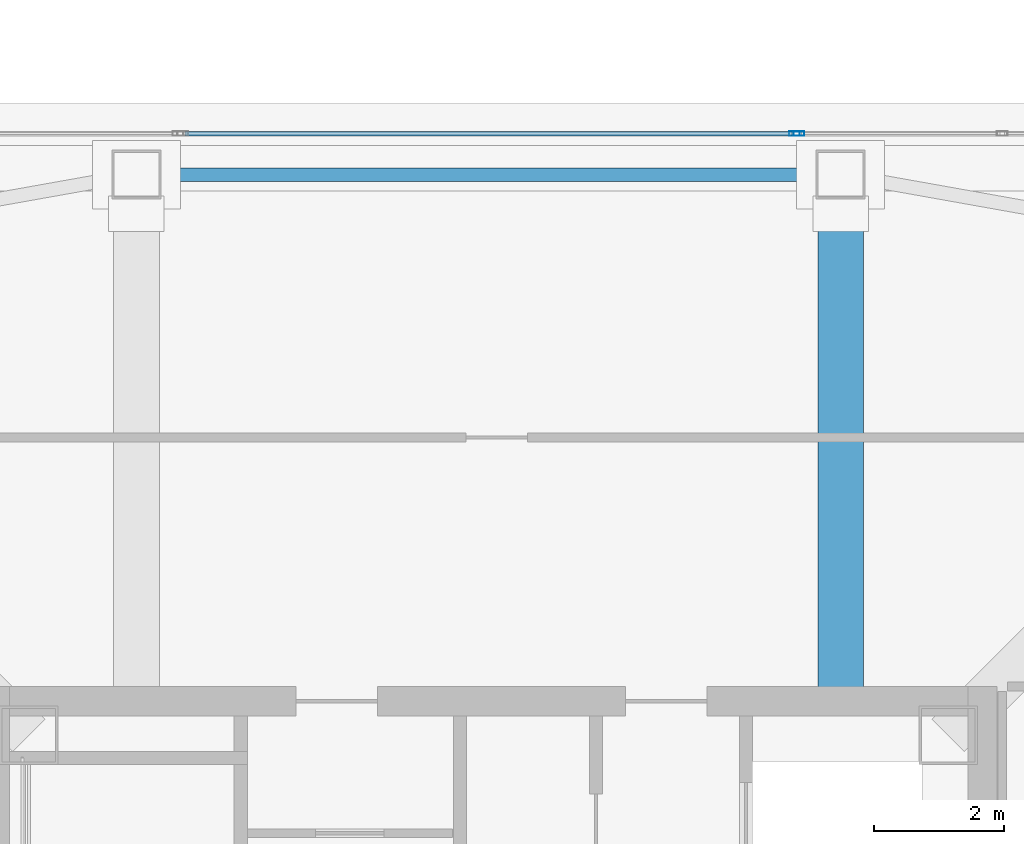
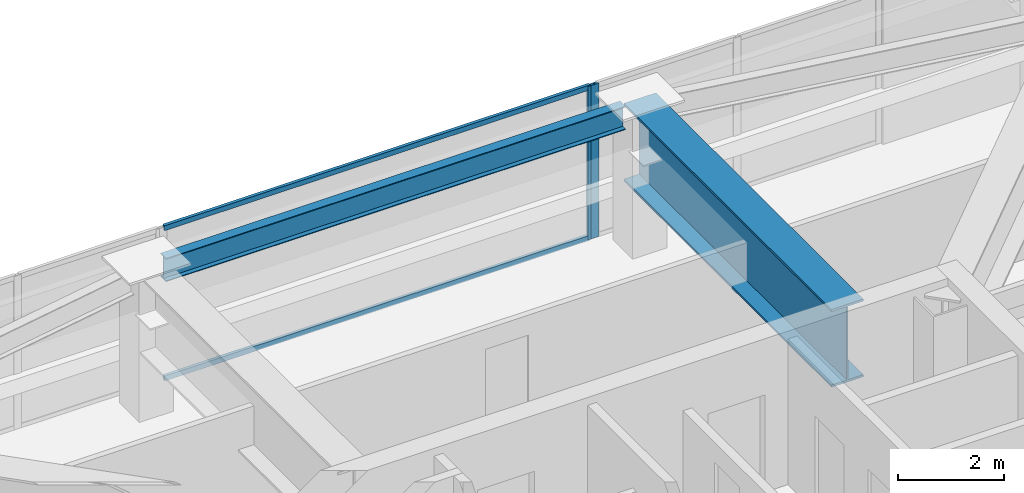
# One storey, part 14 of 40: 4 members, 2 beams, 2 elements without a shape of their own.
"""IFC4 building model written with IfcOpenShell, lengths in metres."""

from ifc_helpers import new_model, si_unit, direction, frame, origin, origin_2d, place, context, subcontext, project, spatial, hollow_rectangle, i_section, extrude, material, material_profile, profile_set, type_object, element, aggregate, save


model = new_model("IFC4")

# Units and contexts
model_context = context("Model", 3, precision=1e-05, world=origin(), true_north=direction((0.0, 1.0)))
body_context = subcontext(model_context, "Body", "Model", "MODEL_VIEW")
ifc_project = project(units=[si_unit("LENGTHUNIT", "METRE"), si_unit("AREAUNIT", "SQUARE_METRE"), si_unit("VOLUMEUNIT", "CUBIC_METRE"), si_unit("PLANEANGLEUNIT", "RADIAN"), si_unit("MASSUNIT", "GRAM", prefix="KILO")], contexts=[model_context])

# Site, building, storey
site_placement = place(None, origin())
site = spatial("IfcSite", under=ifc_project, at=site_placement, CompositionType="ELEMENT")
building_placement = place(site_placement, origin())
building = spatial("IfcBuilding", under=site, at=building_placement, Name="Tashvorn Skyway Center", CompositionType="ELEMENT")
storey_placement = place(building_placement, frame((0.0, 0.0, 229.050048828125)))
storey = spatial("IfcBuildingStorey", under=building, at=storey_placement, Name="L62", CompositionType="ELEMENT", Elevation=229.050048828125)

# Beams
ifc_material_1 = material(Name="Steel ASTM A572 Grade 50", Category="steel")
ifc_material_profile_1 = material_profile(ifc_material_1, i_section(OverallWidth=0.699951171875, OverallDepth=1.800048828125, WebThickness=0.031982421875, FlangeThickness=0.050048828125, at=origin_2d()), Name="PG1800x700")
ifc_profile_set_1 = profile_set([ifc_material_profile_1], Name="Steel ASTM A572 Grade 50")
beam_type_1 = type_object("IfcBeamType", Name="BM-BEAM-PG1800x700", PredefinedType="BEAM", material=ifc_profile_set_1)
beam_1_placement = place(storey_placement, frame((47.39990234375, 47.64990234375, 2.469970703125), z_axis=(0.0, -1.0, 0.0), x_axis=(1.0, 0.0, 0.0)))
element("IfcBeam", 1, at=beam_1_placement, inside=storey, type_object=beam_type_1, Name="Tower 1 L62 Setback Transfer Girder FC-N1", PredefinedType="BEAM", context=body_context, shape_type="SweptSolid", body=[
    extrude(i_section(OverallWidth=0.699951171875, OverallDepth=1.800048828125, WebThickness=0.031982421875, FlangeThickness=0.050048828125, at=origin_2d()), origin(), (0.0, 0.0, 1.0), 7.869873046875),
])
ifc_material_2 = material(Name="Steel ASTM A992 Grade 50", Category="steel")
ifc_material_profile_2 = material_profile(ifc_material_2, i_section(OverallWidth=0.2109375, OverallDepth=0.5390625, WebThickness=0.01171875, FlangeThickness=0.018798828125, at=origin_2d()), Name="W21X73")
ifc_profile_set_2 = profile_set([ifc_material_profile_2], Name="Steel ASTM A992 Grade 50")
beam_type_2 = type_object("IfcBeamType", Name="BM-SPANDREL-W21X73", PredefinedType="SPANDREL", material=ifc_profile_set_2)
beam_2_placement = place(storey_placement, frame((47.030029296875, 47.64990234375, 3.100341796875), z_axis=(-1.0, 0.0, 0.0), x_axis=(0.0, -1.0, 0.0)))
element("IfcBeam", 2, at=beam_2_placement, inside=storey, type_object=beam_type_2, Name="Tower 1 L62 Spandrel Beam 08", PredefinedType="SPANDREL", context=body_context, shape_type="SweptSolid", body=[
    extrude(i_section(OverallWidth=0.2109375, OverallDepth=0.5390625, WebThickness=0.01171875, FlangeThickness=0.018798828125, at=origin_2d()), origin(), (0.0, 0.0, 1.0), 10.06005859375),
])

# Curtain wall, member
ifc_material_3 = material(Name="Thermally broken bronze-anodized aluminium 6063-T6", Category="aluminium")
curtain_wall_type = type_object("IfcCurtainWallType", Name="CW-CW-Z5", PredefinedType="NOTDEFINED", material=ifc_material_3)
curtain_wall_1_placement = place(storey_placement, origin())
curtain_wall_1 = element("IfcCurtainWall", 3, at=curtain_wall_1_placement, inside=storey, type_object=curtain_wall_type, Name="Tower 1 L62 North Unitised Curtain Wall Glazing Group 2", PredefinedType="NOTDEFINED")
ifc_material_profile_3 = material_profile(ifc_material_3, hollow_rectangle(XDim=0.070068359375, YDim=0.1650390625, WallThickness=0.00390625, at=origin_2d()), Name="ALU-MULL-70x165")
ifc_profile_set_3 = profile_set([ifc_material_profile_3], Name="Thermally broken bronze-anodized aluminium 6063-T6")
member_type_1 = type_object("IfcMemberType", Name="CWM-CW-Z5", PredefinedType="MULLION", material=ifc_profile_set_3)
member_1_placement = place(storey_placement, frame((46.691650390625, 48.280029296875, 0.0), z_axis=(0.0, 0.0, 1.0), x_axis=(0.0, 1.0, 0.0)))
member_1 = element("IfcMember", 4, at=member_1_placement, type_object=member_type_1, Name="CW-Z5 mullion 2", PredefinedType="MULLION", context=body_context, shape_type="SweptSolid", body=[
    extrude(hollow_rectangle(XDim=0.070068359375, YDim=0.1650390625, WallThickness=0.00390625, at=origin_2d()), origin(), (0.0, 0.0, 1.0), 3.550048828125),
])

curtain_wall_2_placement = place(storey_placement, origin())
curtain_wall_2 = element("IfcCurtainWall", 5, at=curtain_wall_2_placement, inside=storey, type_object=curtain_wall_type, Name="Tower 1 L62 North Unitised Curtain Wall Glazing Group 3", PredefinedType="NOTDEFINED")
member_2_placement = place(storey_placement, frame((46.76171875, 48.280029296875, 0.0), z_axis=(0.0, 0.0, 1.0), x_axis=(0.0, 1.0, 0.0)))
member_2 = element("IfcMember", 6, at=member_2_placement, type_object=member_type_1, Name="CW-Z5 mullion 1", PredefinedType="MULLION", context=body_context, shape_type="SweptSolid", body=[
    extrude(hollow_rectangle(XDim=0.070068359375, YDim=0.1650390625, WallThickness=0.00390625, at=origin_2d()), origin(), (0.0, 0.0, 1.0), 3.550048828125),
])
aggregate(curtain_wall_2, [member_2])

# Member
ifc_material_profile_4 = material_profile(ifc_material_3, hollow_rectangle(XDim=0.070068359375, YDim=0.114990234375, WallThickness=0.00390625, at=origin_2d()), Name="ALU-TRAN-70x115")
ifc_profile_set_4 = profile_set([ifc_material_profile_4], Name="Thermally broken bronze-anodized aluminium 6063-T6")
member_type_2 = type_object("IfcMemberType", Name="CWT-CW-Z5", PredefinedType="USERDEFINED", material=ifc_profile_set_4)
member_3_placement = place(storey_placement, frame((37.34326171875, 48.280029296875, 0.034912109375), z_axis=(1.0, 0.0, 0.0), x_axis=(0.0, 1.0, 0.0)))
member_3 = element("IfcMember", 7, at=member_3_placement, type_object=member_type_2, Name="CW-Z5 transom 1.1", ObjectType="TRANSOM", PredefinedType="USERDEFINED", context=body_context, shape_type="SweptSolid", body=[
    extrude(hollow_rectangle(XDim=0.070068359375, YDim=0.114990234375, WallThickness=0.00390625, at=origin_2d()), origin(), (0.0, 0.0, 1.0), 9.3134765625),
])

member_4_placement = place(storey_placement, frame((37.34326171875, 48.280029296875, 3.514892578125), z_axis=(1.0, 0.0, 0.0), x_axis=(0.0, 1.0, 0.0)))
member_4 = element("IfcMember", 8, at=member_4_placement, type_object=member_type_2, Name="CW-Z5 transom 1.2", ObjectType="TRANSOM", PredefinedType="USERDEFINED", context=body_context, shape_type="SweptSolid", body=[
    extrude(hollow_rectangle(XDim=0.070068359375, YDim=0.114990234375, WallThickness=0.00390625, at=origin_2d()), origin(), (0.0, 0.0, 1.0), 9.3134765625),
])

aggregate(curtain_wall_1, [member_1, member_3, member_4])

save(model, "model.ifc")
